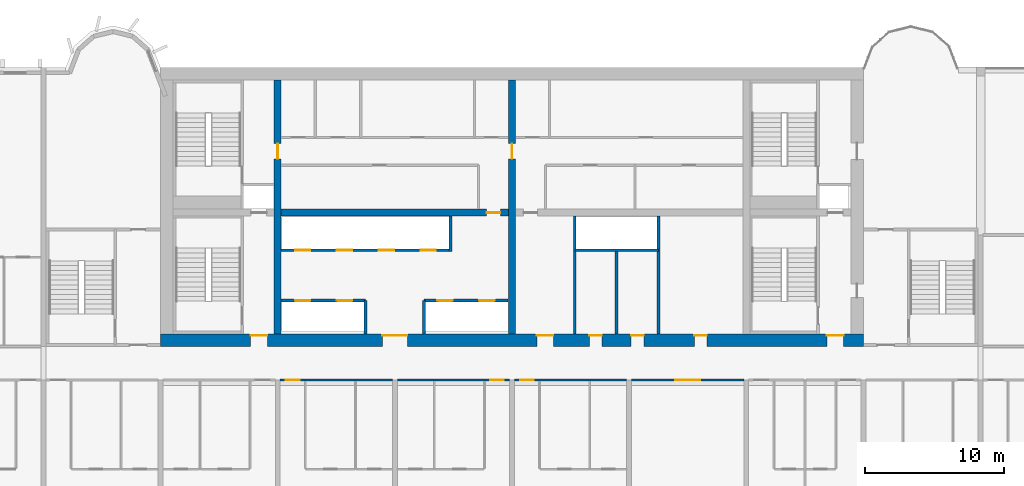
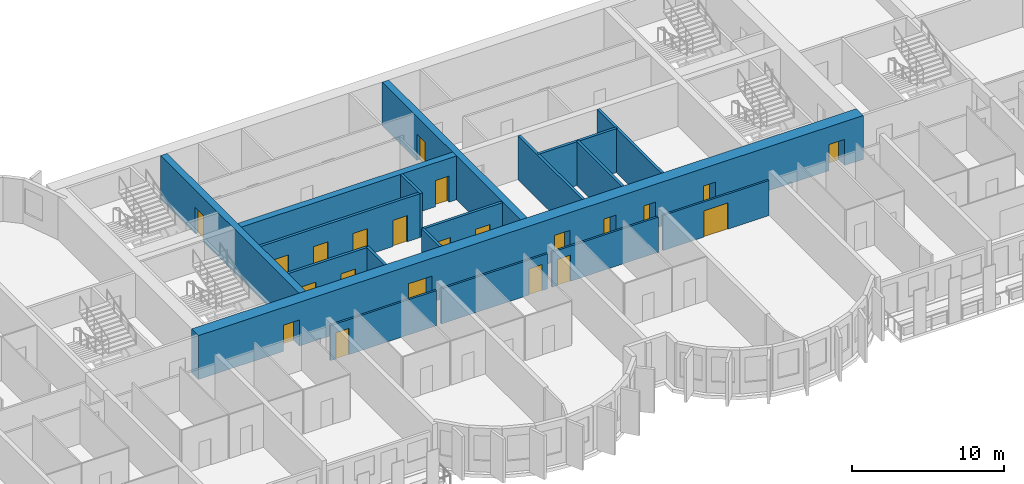
# One storey, part 6 of 14: 22 doors, 18 walls, 22 openings.
"""IFC4 building model written with IfcOpenShell, lengths in metres."""

from ifc_helpers import new_model, si_unit, direction, frame, frame_2d, origin, place, context, subcontext, project, spatial, rectangle, extrude, source, transform, mapped, material, layer, layer_set, type_object, element, fill, save


model = new_model("IFC4")

# Units and contexts
model_context = context("Model", 3, precision=1e-05, world=origin(), true_north=direction((0.0, 1.0)))
body_context = subcontext(model_context, "Body", "Model", "MODEL_VIEW")
ifc_project = project(units=[si_unit("LENGTHUNIT", "METRE"), si_unit("AREAUNIT", "SQUARE_METRE"), si_unit("VOLUMEUNIT", "CUBIC_METRE"), si_unit("PLANEANGLEUNIT", "RADIAN"), si_unit("MASSUNIT", "GRAM", prefix="KILO")], contexts=[model_context])

# Site, building, storey
site_placement = place(None, origin())
site = spatial("IfcSite", under=ifc_project, at=site_placement, CompositionType="ELEMENT")
building_placement = place(site_placement, origin())
building = spatial("IfcBuilding", under=site, at=building_placement, Name="Vanashikhar Sky Hotel", CompositionType="ELEMENT")
storey_placement = place(building_placement, frame((0.0, 0.0, 121.800048828125)))
storey = spatial("IfcBuildingStorey", under=building, at=storey_placement, Name="L29", CompositionType="ELEMENT", Elevation=121.800048828125)

# Wall, openings, doors
ifc_material_1 = material(Name="Concrete M70", Category="concrete")
ifc_layer_1 = layer(ifc_material_1, 0.89990234375)
ifc_layer_set_1 = layer_set([ifc_layer_1], Name="RC core shell wall 900 Concrete M70")
wall_type_1 = type_object("IfcWallType", Name="RC core shell wall 900 Concrete M70", PredefinedType="SHEAR", material=ifc_layer_set_1)
shared_shape_1 = source(origin(), body_context, "Body", "SweptSolid", [
    extrude(rectangle(XDim=50.400146484375, YDim=0.89990234375, at=frame_2d((25.2001953125, 0.0))), origin(), (0.0, 0.0, 1.0), 3.52001953125),
])
wall_1_placement = place(storey_placement, frame((25.199951171875, 22.449951171875, 0.0), z_axis=(0.0, 0.0, 1.0), x_axis=(1.0, 0.0, 0.0)))
wall_1 = element("IfcWall", 1, at=wall_1_placement, inside=storey, type_object=wall_type_1, Name="KW-L29-KS", PredefinedType="SHEAR", context=body_context, shape_type="MappedRepresentation", body=[
    mapped(shared_shape_1, transform((0.0, 0.0, 0.0), scale=1.0)),
])
shared_shape_2 = source(origin(), body_context, "Body", "SweptSolid", [
    extrude(rectangle(XDim=1.800048828125, YDim=2.10009765625, at=frame_2d((0.89990234375, 1.050048828125))), frame((0.0, 0.4599609375, 0.0), z_axis=(0.0, -1.0, 0.0), x_axis=(1.0, 0.0, 0.0)), (0.0, 0.0, 1.0), 0.919921875),
])
opening_1_placement = place(wall_1_placement, frame((15.89990234375, 0.0, 0.0)))
opening_1 = element("IfcOpeningElement", 2, at=opening_1_placement, cuts=wall_1, Name="Opening DC-3-A", PredefinedType="OPENING", context=body_context, shape_type="MappedRepresentation", body=[
    mapped(shared_shape_2, transform((0.0, 0.0, 0.0), scale=1.0)),
])
shared_shape_3 = source(origin(), body_context, "Body", "SweptSolid", [
    extrude(rectangle(XDim=1.199951171875, YDim=2.10009765625, at=frame_2d((0.60009765625, 1.050048828125))), frame((0.0, 0.4599609375, 0.0), z_axis=(0.0, -1.0, 0.0), x_axis=(1.0, 0.0, 0.0)), (0.0, 0.0, 1.0), 0.919921875),
])
opening_2_placement = place(wall_1_placement, frame((26.97509765625, 0.0, 0.0)))
opening_2 = element("IfcOpeningElement", 3, at=opening_2_placement, cuts=wall_1, Name="Opening DC-4-B", PredefinedType="OPENING", context=body_context, shape_type="MappedRepresentation", body=[
    mapped(shared_shape_3, transform((0.0, 0.0, 0.0), scale=1.0)),
])
shared_shape_4 = source(origin(), body_context, "Body", "SweptSolid", [
    extrude(rectangle(XDim=0.89990234375, YDim=2.10009765625, at=frame_2d((0.449951171875, 1.050048828125))), frame((0.0, 0.4599609375, 0.0), z_axis=(0.0, -1.0, 0.0), x_axis=(1.0, 0.0, 0.0)), (0.0, 0.0, 1.0), 0.919921875),
])
opening_3_placement = place(wall_1_placement, frame((33.75, 0.0, 0.0)))
opening_3 = element("IfcOpeningElement", 4, at=opening_3_placement, cuts=wall_1, Name="Opening DC-4-A", PredefinedType="OPENING", context=body_context, shape_type="MappedRepresentation", body=[
    mapped(shared_shape_4, transform((0.0, 0.0, 0.0), scale=1.0)),
])
opening_4_placement = place(wall_1_placement, frame((30.75, 0.0, 0.0)))
opening_4 = element("IfcOpeningElement", 5, at=opening_4_placement, cuts=wall_1, Name="Opening DC-4-A", PredefinedType="OPENING", context=body_context, shape_type="MappedRepresentation", body=[
    mapped(shared_shape_4, transform((0.0, 0.0, 0.0), scale=1.0)),
])
opening_5_placement = place(wall_1_placement, frame((38.27490234375, 0.0, 0.0)))
opening_5 = element("IfcOpeningElement", 6, at=opening_5_placement, cuts=wall_1, Name="Opening DC-4-A", PredefinedType="OPENING", context=body_context, shape_type="MappedRepresentation", body=[
    mapped(shared_shape_4, transform((0.0, 0.0, 0.0), scale=1.0)),
])
opening_6_placement = place(wall_1_placement, frame((6.449951171875, 0.0, 0.0)))
opening_6 = element("IfcOpeningElement", 7, at=opening_6_placement, cuts=wall_1, Name="Opening DC-2", PredefinedType="OPENING", context=body_context, shape_type="MappedRepresentation", body=[
    mapped(shared_shape_3, transform((0.0, 0.0, 0.0), scale=1.0)),
])
opening_7_placement = place(wall_1_placement, frame((47.77490234375, 0.0, 0.0)))
opening_7 = element("IfcOpeningElement", 8, at=opening_7_placement, cuts=wall_1, Name="Opening DC-2", PredefinedType="OPENING", context=body_context, shape_type="MappedRepresentation", body=[
    mapped(shared_shape_3, transform((0.0, 0.0, 0.0), scale=1.0)),
])
ifc_material_2 = material(Name="Glass", Category="glass")
door_type_1 = type_object("IfcDoorType", Name="Lift lobby entrance door 1800 FD30S", OperationType="NOTDEFINED", PredefinedType="DOOR", material=ifc_material_2)
shared_shape_5 = source(origin(), body_context, "Body", "SweptSolid", [
    extrude(rectangle(XDim=1.800048828125, YDim=2.10009765625, at=frame_2d((0.89990234375, 1.050048828125))), frame((0.0, 0.375, 0.0), z_axis=(0.0, -1.0, 0.0), x_axis=(1.0, 0.0, 0.0)), (0.0, 0.0, 1.0), 0.050048828125),
])
door_1_placement = place(opening_1_placement, origin())
door_1 = element("IfcDoor", 9, at=door_1_placement, inside=storey, type_object=door_type_1, Name="Lift lobby entrance door 1800 FD30S", OperationType="DOUBLE_DOOR_SINGLE_SWING", OverallHeight=2.10009765625, OverallWidth=1.800048828125, PredefinedType="DOOR", context=body_context, shape_type="MappedRepresentation", body=[
    mapped(shared_shape_5, transform((0.0, 0.0, 0.0), scale=1.0)),
])
fill(opening_1, door_1)
ifc_material_3 = material(Name="Steel", Category="steel")
door_type_2 = type_object("IfcDoorType", Name="Service door 1200 FD60", OperationType="NOTDEFINED", PredefinedType="DOOR", material=ifc_material_3)
shared_shape_6 = source(origin(), body_context, "Body", "SweptSolid", [
    extrude(rectangle(XDim=1.199951171875, YDim=2.10009765625, at=frame_2d((0.60009765625, 1.050048828125))), frame((0.0, 0.375, 0.0), z_axis=(0.0, -1.0, 0.0), x_axis=(1.0, 0.0, 0.0)), (0.0, 0.0, 1.0), 0.050048828125),
])
door_2_placement = place(opening_2_placement, origin())
door_2 = element("IfcDoor", 10, at=door_2_placement, inside=storey, type_object=door_type_2, Name="Service door 1200 FD60", OperationType="SINGLE_SWING_RIGHT", OverallHeight=2.10009765625, OverallWidth=1.199951171875, PredefinedType="DOOR", context=body_context, shape_type="MappedRepresentation", body=[
    mapped(shared_shape_6, transform((0.0, 0.0, 0.0), scale=1.0)),
])
fill(opening_2, door_2)
door_type_3 = type_object("IfcDoorType", Name="Firefighting lobby door 1200 FD120", OperationType="NOTDEFINED", PredefinedType="DOOR", material=ifc_material_3)
door_3_placement = place(opening_6_placement, origin())
door_3 = element("IfcDoor", 11, at=door_3_placement, inside=storey, type_object=door_type_3, Name="Firefighting lobby door 1200 FD120", OperationType="SINGLE_SWING_RIGHT", OverallHeight=2.10009765625, OverallWidth=1.199951171875, PredefinedType="DOOR", context=body_context, shape_type="MappedRepresentation", body=[
    mapped(shared_shape_6, transform((0.0, 0.0, 0.0), scale=1.0)),
])
fill(opening_6, door_3)
door_4_placement = place(opening_7_placement, origin())
door_4 = element("IfcDoor", 12, at=door_4_placement, inside=storey, type_object=door_type_3, Name="Firefighting lobby door 1200 FD120", OperationType="SINGLE_SWING_RIGHT", OverallHeight=2.10009765625, OverallWidth=1.199951171875, PredefinedType="DOOR", context=body_context, shape_type="MappedRepresentation", body=[
    mapped(shared_shape_6, transform((0.0, 0.0, 0.0), scale=1.0)),
])
fill(opening_7, door_4)
door_type_4 = type_object("IfcDoorType", Name="Service door 900 FD60", OperationType="NOTDEFINED", PredefinedType="DOOR", material=ifc_material_3)
shared_shape_7 = source(origin(), body_context, "Body", "SweptSolid", [
    extrude(rectangle(XDim=0.89990234375, YDim=2.10009765625, at=frame_2d((0.449951171875, 1.050048828125))), frame((0.0, 0.375, 0.0), z_axis=(0.0, -1.0, 0.0), x_axis=(1.0, 0.0, 0.0)), (0.0, 0.0, 1.0), 0.050048828125),
])
door_5_placement = place(opening_3_placement, origin())
door_5 = element("IfcDoor", 13, at=door_5_placement, inside=storey, type_object=door_type_4, Name="Service door 900 FD60", OperationType="SINGLE_SWING_RIGHT", OverallHeight=2.10009765625, OverallWidth=0.89990234375, PredefinedType="DOOR", context=body_context, shape_type="MappedRepresentation", body=[
    mapped(shared_shape_7, transform((0.0, 0.0, 0.0), scale=1.0)),
])
fill(opening_3, door_5)
door_6_placement = place(opening_4_placement, origin())
door_6 = element("IfcDoor", 14, at=door_6_placement, inside=storey, type_object=door_type_4, Name="Service door 900 FD60", OperationType="SINGLE_SWING_LEFT", OverallHeight=2.10009765625, OverallWidth=0.89990234375, PredefinedType="DOOR", context=body_context, shape_type="MappedRepresentation", body=[
    mapped(shared_shape_7, transform((0.0, 0.0, 0.0), scale=1.0)),
])
fill(opening_4, door_6)
door_7_placement = place(opening_5_placement, origin())
door_7 = element("IfcDoor", 15, at=door_7_placement, inside=storey, type_object=door_type_4, Name="Service door 900 FD60", OperationType="SINGLE_SWING_LEFT", OverallHeight=2.10009765625, OverallWidth=0.89990234375, PredefinedType="DOOR", context=body_context, shape_type="MappedRepresentation", body=[
    mapped(shared_shape_7, transform((0.0, 0.0, 0.0), scale=1.0)),
])
fill(opening_5, door_7)

# Wall, opening, door
ifc_layer_2 = layer(ifc_material_1, 0.5)
ifc_layer_set_2 = layer_set([ifc_layer_2], Name="RC core inner wall 500 Concrete M70")
wall_type_2 = type_object("IfcWallType", Name="RC core inner wall 500 Concrete M70", PredefinedType="SHEAR", material=ifc_layer_set_2)
shared_shape_8 = source(origin(), body_context, "Body", "SweptSolid", [
    extrude(rectangle(XDim=18.2001953125, YDim=0.5, at=frame_2d((9.10009765625, 0.0))), origin(), (0.0, 0.0, 1.0), 3.52001953125),
])
wall_2_placement = place(storey_placement, frame((33.60009765625, 22.89990234375, 0.0), z_axis=(0.0, 0.0, 1.0), x_axis=(0.0, 1.0, 0.0)))
wall_2 = element("IfcWall", 16, at=wall_2_placement, inside=storey, type_object=wall_type_2, Name="KW-L29-KX1", PredefinedType="SHEAR", context=body_context, shape_type="MappedRepresentation", body=[
    mapped(shared_shape_8, transform((0.0, 0.0, 0.0), scale=1.0)),
])
shared_shape_9 = source(origin(), body_context, "Body", "SweptSolid", [
    extrude(rectangle(XDim=1.10009765625, YDim=2.10009765625, at=frame_2d((0.550048828125, 1.050048828125))), frame((0.0, 0.260009765625, 0.0), z_axis=(0.0, -1.0, 0.0), x_axis=(1.0, 0.0, 0.0)), (0.0, 0.0, 1.0), 0.52001953125),
])
opening_8_placement = place(wall_2_placement, frame((12.550048828125, 0.0, 0.0)))
opening_8 = element("IfcOpeningElement", 17, at=opening_8_placement, cuts=wall_2, Name="Opening DC-4-C", PredefinedType="OPENING", context=body_context, shape_type="MappedRepresentation", body=[
    mapped(shared_shape_9, transform((0.0, 0.0, 0.0), scale=1.0)),
])
door_type_5 = type_object("IfcDoorType", Name="Service door 1100 FD60", OperationType="NOTDEFINED", PredefinedType="DOOR", material=ifc_material_3)
shared_shape_10 = source(origin(), body_context, "Body", "SweptSolid", [
    extrude(rectangle(XDim=1.10009765625, YDim=2.10009765625, at=frame_2d((0.550048828125, 1.050048828125))), frame((0.0, 0.02490234375, 0.0), z_axis=(0.0, -1.0, 0.0), x_axis=(1.0, 0.0, 0.0)), (0.0, 0.0, 1.0), 0.050048828125),
])
door_8_placement = place(opening_8_placement, origin())
door_8 = element("IfcDoor", 18, at=door_8_placement, inside=storey, type_object=door_type_5, Name="Service door 1100 FD60", OperationType="SINGLE_SWING_LEFT", OverallHeight=2.10009765625, OverallWidth=1.10009765625, PredefinedType="DOOR", context=body_context, shape_type="MappedRepresentation", body=[
    mapped(shared_shape_10, transform((0.0, 0.0, 0.0), scale=1.0)),
])
fill(opening_8, door_8)

wall_3_placement = place(storey_placement, frame((50.39990234375, 22.89990234375, 0.0), z_axis=(0.0, 0.0, 1.0), x_axis=(0.0, 1.0, 0.0)))
wall_3 = element("IfcWall", 19, at=wall_3_placement, inside=storey, type_object=wall_type_2, Name="KW-L29-KX2", PredefinedType="SHEAR", context=body_context, shape_type="MappedRepresentation", body=[
    mapped(shared_shape_8, transform((0.0, 0.0, 0.0), scale=1.0)),
])
opening_9_placement = place(wall_3_placement, frame((12.550048828125, 0.0, 0.0)))
opening_9 = element("IfcOpeningElement", 20, at=opening_9_placement, cuts=wall_3, Name="Opening DC-4-C", PredefinedType="OPENING", context=body_context, shape_type="MappedRepresentation", body=[
    mapped(shared_shape_9, transform((0.0, 0.0, 0.0), scale=1.0)),
])
door_9_placement = place(opening_9_placement, origin())
door_9 = element("IfcDoor", 21, at=door_9_placement, inside=storey, type_object=door_type_5, Name="Service door 1100 FD60", OperationType="SINGLE_SWING_RIGHT", OverallHeight=2.10009765625, OverallWidth=1.10009765625, PredefinedType="DOOR", context=body_context, shape_type="MappedRepresentation", body=[
    mapped(shared_shape_10, transform((0.0, 0.0, 0.0), scale=1.0)),
])
fill(opening_9, door_9)

shared_shape_11 = source(origin(), body_context, "Body", "SweptSolid", [
    extrude(rectangle(XDim=16.2998046875, YDim=0.5, at=frame_2d((8.14990234375, 0.0))), origin(), (0.0, 0.0, 1.0), 3.52001953125),
])
wall_4_placement = place(storey_placement, frame((33.85009765625, 31.60009765625, 0.0), z_axis=(0.0, 0.0, 1.0), x_axis=(1.0, 0.0, 0.0)))
wall_4 = element("IfcWall", 22, at=wall_4_placement, inside=storey, type_object=wall_type_2, Name="KW-L29-KY2", PredefinedType="SHEAR", context=body_context, shape_type="MappedRepresentation", body=[
    mapped(shared_shape_11, transform((0.0, 0.0, 0.0), scale=1.0)),
])
shared_shape_12 = source(origin(), body_context, "Body", "SweptSolid", [
    extrude(rectangle(XDim=1.0, YDim=2.10009765625, at=frame_2d((0.5, 1.050048828125))), frame((0.0, 0.260009765625, 0.0), z_axis=(0.0, -1.0, 0.0), x_axis=(1.0, 0.0, 0.0)), (0.0, 0.0, 1.0), 0.52001953125),
])
opening_10_placement = place(wall_4_placement, frame((14.72509765625, 0.0, 0.0)))
opening_10 = element("IfcOpeningElement", 23, at=opening_10_placement, cuts=wall_4, Name="Opening DC-4", PredefinedType="OPENING", context=body_context, shape_type="MappedRepresentation", body=[
    mapped(shared_shape_12, transform((0.0, 0.0, 0.0), scale=1.0)),
])
door_type_6 = type_object("IfcDoorType", Name="Service door 1000 FD60", OperationType="NOTDEFINED", PredefinedType="DOOR", material=ifc_material_3)
shared_shape_13 = source(origin(), body_context, "Body", "SweptSolid", [
    extrude(rectangle(XDim=1.0, YDim=2.10009765625, at=frame_2d((0.5, 1.050048828125))), frame((0.0, 0.02490234375, 0.0), z_axis=(0.0, -1.0, 0.0), x_axis=(1.0, 0.0, 0.0)), (0.0, 0.0, 1.0), 0.050048828125),
])
door_10_placement = place(opening_10_placement, origin())
door_10 = element("IfcDoor", 24, at=door_10_placement, inside=storey, type_object=door_type_6, Name="Service door 1000 FD60", OperationType="SINGLE_SWING_LEFT", OverallHeight=2.10009765625, OverallWidth=1.0, PredefinedType="DOOR", context=body_context, shape_type="MappedRepresentation", body=[
    mapped(shared_shape_13, transform((0.0, 0.0, 0.0), scale=1.0)),
])
fill(opening_10, door_10)

# Wall, openings, doors
ifc_material_4 = material(Name="Concrete M40", Category="concrete")
ifc_layer_3 = layer(ifc_material_4, 0.199951171875)
ifc_layer_set_3 = layer_set([ifc_layer_3], Name="Shaft wall 200")
wall_type_3 = type_object("IfcWallType", Name="Shaft wall 200", PredefinedType="SOLIDWALL", material=ifc_layer_set_3)
shared_shape_14 = source(origin(), body_context, "Body", "SweptSolid", [
    extrude(rectangle(XDim=6.0, YDim=0.199951171875, at=frame_2d((3.0, 0.0))), origin(), (0.0, 0.0, 1.0), 3.52001953125),
])
wall_5_placement = place(storey_placement, frame((44.10009765625, 25.300048828125, 0.0), z_axis=(0.0, 0.0, 1.0), x_axis=(1.0, 0.0, 0.0)))
wall_5 = element("IfcWall", 25, at=wall_5_placement, inside=storey, type_object=wall_type_3, Name="Shaft wall 200", PredefinedType="SOLIDWALL", context=body_context, shape_type="MappedRepresentation", body=[
    mapped(shared_shape_14, transform((0.0, 0.0, 0.0), scale=1.0)),
])
shared_shape_15 = source(origin(), body_context, "Body", "SweptSolid", [
    extrude(rectangle(XDim=1.10009765625, YDim=2.10009765625, at=frame_2d((0.550048828125, 1.050048828125))), frame((0.0, 0.10986328125, 0.0), z_axis=(0.0, -1.0, 0.0), x_axis=(1.0, 0.0, 0.0)), (0.0, 0.0, 1.0), 0.219970703125),
])
opening_11_placement = place(wall_5_placement, frame((0.949951171875, 0.0, 0.0)))
opening_11 = element("IfcOpeningElement", 26, at=opening_11_placement, cuts=wall_5, Name="Opening LD", PredefinedType="OPENING", context=body_context, shape_type="MappedRepresentation", body=[
    mapped(shared_shape_15, transform((0.0, 0.0, 0.0), scale=1.0)),
])
opening_12_placement = place(wall_5_placement, frame((3.949951171875, 0.0, 0.0)))
opening_12 = element("IfcOpeningElement", 27, at=opening_12_placement, cuts=wall_5, Name="Opening LD", PredefinedType="OPENING", context=body_context, shape_type="MappedRepresentation", body=[
    mapped(shared_shape_15, transform((0.0, 0.0, 0.0), scale=1.0)),
])
ifc_material_5 = material(Name="Stainless steel", Category="steel")
door_type_7 = type_object("IfcDoorType", Name="Lift landing door 1100", OperationType="NOTDEFINED", PredefinedType="DOOR", material=ifc_material_5)
door_11_placement = place(opening_11_placement, origin())
door_11 = element("IfcDoor", 28, at=door_11_placement, inside=storey, type_object=door_type_7, Name="Lift landing door 1100", OperationType="SLIDING_TO_LEFT", OverallHeight=2.10009765625, OverallWidth=1.10009765625, PredefinedType="DOOR", context=body_context, shape_type="MappedRepresentation", body=[
    mapped(shared_shape_10, transform((0.0, 0.0, 0.0), scale=1.0)),
])
fill(opening_11, door_11)
door_12_placement = place(opening_12_placement, origin())
door_12 = element("IfcDoor", 29, at=door_12_placement, inside=storey, type_object=door_type_7, Name="Lift landing door 1100", OperationType="SLIDING_TO_RIGHT", OverallHeight=2.10009765625, OverallWidth=1.10009765625, PredefinedType="DOOR", context=body_context, shape_type="MappedRepresentation", body=[
    mapped(shared_shape_10, transform((0.0, 0.0, 0.0), scale=1.0)),
])
fill(opening_12, door_12)

# Walls
wall_6_placement = place(storey_placement, frame((60.89990234375, 28.89990234375, 0.0), z_axis=(0.0, 0.0, 1.0), x_axis=(-1.0, 0.0, 0.0)))
element("IfcWall", 30, at=wall_6_placement, inside=storey, type_object=wall_type_3, Name="Shaft wall 200", PredefinedType="SOLIDWALL", context=body_context, shape_type="MappedRepresentation", body=[
    mapped(shared_shape_14, transform((0.0, 0.0, 0.0), scale=1.0)),
])
ifc_material_6 = material(Name="Gypsum board partition")
ifc_layer_4 = layer(ifc_material_6, 0.14990234375)
ifc_layer_set_4 = layer_set([ifc_layer_4], Name="Service partition 150")
wall_type_4 = type_object("IfcWallType", Name="Service partition 150", PredefinedType="PARTITIONING", material=ifc_layer_set_4)
wall_7_placement = place(storey_placement, frame((57.89990234375, 22.89990234375, 0.0), z_axis=(0.0, 0.0, 1.0), x_axis=(0.0, 1.0, 0.0)))
element("IfcWall", 31, at=wall_7_placement, inside=storey, type_object=wall_type_4, Name="Service partition 150", PredefinedType="PARTITIONING", context=body_context, shape_type="MappedRepresentation", body=[
    mapped(shared_shape_14, transform((0.0, 0.0, 0.0), scale=1.0)),
])

# Wall, openings, doors
shared_shape_16 = source(origin(), body_context, "Body", "SweptSolid", [
    extrude(rectangle(XDim=6.0498046875, YDim=0.199951171875, at=frame_2d((3.02490234375, 0.0))), origin(), (0.0, 0.0, 1.0), 3.52001953125),
])
wall_8_placement = place(storey_placement, frame((33.85009765625, 25.300048828125, 0.0), z_axis=(0.0, 0.0, 1.0), x_axis=(1.0, 0.0, 0.0)))
wall_8 = element("IfcWall", 32, at=wall_8_placement, inside=storey, type_object=wall_type_3, Name="Shaft wall 200", PredefinedType="SOLIDWALL", context=body_context, shape_type="MappedRepresentation", body=[
    mapped(shared_shape_16, transform((0.0, 0.0, 0.0), scale=1.0)),
])
opening_13_placement = place(wall_8_placement, frame((1.0, 0.0, 0.0)))
opening_13 = element("IfcOpeningElement", 33, at=opening_13_placement, cuts=wall_8, Name="Opening LD", PredefinedType="OPENING", context=body_context, shape_type="MappedRepresentation", body=[
    mapped(shared_shape_15, transform((0.0, 0.0, 0.0), scale=1.0)),
])
opening_14_placement = place(wall_8_placement, frame((4.0, 0.0, 0.0)))
opening_14 = element("IfcOpeningElement", 34, at=opening_14_placement, cuts=wall_8, Name="Opening LD", PredefinedType="OPENING", context=body_context, shape_type="MappedRepresentation", body=[
    mapped(shared_shape_15, transform((0.0, 0.0, 0.0), scale=1.0)),
])
door_13_placement = place(opening_13_placement, origin())
door_13 = element("IfcDoor", 35, at=door_13_placement, inside=storey, type_object=door_type_7, Name="Lift landing door 1100", OperationType="SLIDING_TO_LEFT", OverallHeight=2.10009765625, OverallWidth=1.10009765625, PredefinedType="DOOR", context=body_context, shape_type="MappedRepresentation", body=[
    mapped(shared_shape_10, transform((0.0, 0.0, 0.0), scale=1.0)),
])
fill(opening_13, door_13)
door_14_placement = place(opening_14_placement, origin())
door_14 = element("IfcDoor", 36, at=door_14_placement, inside=storey, type_object=door_type_7, Name="Lift landing door 1100", OperationType="SLIDING_TO_RIGHT", OverallHeight=2.10009765625, OverallWidth=1.10009765625, PredefinedType="DOOR", context=body_context, shape_type="MappedRepresentation", body=[
    mapped(shared_shape_10, transform((0.0, 0.0, 0.0), scale=1.0)),
])
fill(opening_14, door_14)

shared_shape_17 = source(origin(), body_context, "Body", "SweptSolid", [
    extrude(rectangle(XDim=12.0498046875, YDim=0.199951171875, at=frame_2d((6.02490234375, 0.0))), origin(), (0.0, 0.0, 1.0), 3.52001953125),
])
wall_9_placement = place(storey_placement, frame((33.85009765625, 28.89990234375, 0.0), z_axis=(0.0, 0.0, 1.0), x_axis=(1.0, 0.0, 0.0)))
wall_9 = element("IfcWall", 37, at=wall_9_placement, inside=storey, type_object=wall_type_3, Name="Shaft wall 200", PredefinedType="SOLIDWALL", context=body_context, shape_type="MappedRepresentation", body=[
    mapped(shared_shape_17, transform((0.0, 0.0, 0.0), scale=1.0)),
])
opening_15_placement = place(wall_9_placement, frame((1.0, 0.0, 0.0)))
opening_15 = element("IfcOpeningElement", 38, at=opening_15_placement, cuts=wall_9, Name="Opening LD", PredefinedType="OPENING", context=body_context, shape_type="MappedRepresentation", body=[
    mapped(shared_shape_15, transform((0.0, 0.0, 0.0), scale=1.0)),
])
opening_16_placement = place(wall_9_placement, frame((4.0, 0.0, 0.0)))
opening_16 = element("IfcOpeningElement", 39, at=opening_16_placement, cuts=wall_9, Name="Opening LD", PredefinedType="OPENING", context=body_context, shape_type="MappedRepresentation", body=[
    mapped(shared_shape_15, transform((0.0, 0.0, 0.0), scale=1.0)),
])
opening_17_placement = place(wall_9_placement, frame((7.0, 0.0, 0.0)))
opening_17 = element("IfcOpeningElement", 40, at=opening_17_placement, cuts=wall_9, Name="Opening LD", PredefinedType="OPENING", context=body_context, shape_type="MappedRepresentation", body=[
    mapped(shared_shape_15, transform((0.0, 0.0, 0.0), scale=1.0)),
])
opening_18_placement = place(wall_9_placement, frame((10.0, 0.0, 0.0)))
opening_18 = element("IfcOpeningElement", 41, at=opening_18_placement, cuts=wall_9, Name="Opening LD", PredefinedType="OPENING", context=body_context, shape_type="MappedRepresentation", body=[
    mapped(shared_shape_15, transform((0.0, 0.0, 0.0), scale=1.0)),
])
door_15_placement = place(opening_15_placement, origin())
door_15 = element("IfcDoor", 42, at=door_15_placement, inside=storey, type_object=door_type_7, Name="Lift landing door 1100", OperationType="SLIDING_TO_LEFT", OverallHeight=2.10009765625, OverallWidth=1.10009765625, PredefinedType="DOOR", context=body_context, shape_type="MappedRepresentation", body=[
    mapped(shared_shape_10, transform((0.0, 0.0, 0.0), scale=1.0)),
])
fill(opening_15, door_15)
door_16_placement = place(opening_16_placement, origin())
door_16 = element("IfcDoor", 43, at=door_16_placement, inside=storey, type_object=door_type_7, Name="Lift landing door 1100", OperationType="SLIDING_TO_RIGHT", OverallHeight=2.10009765625, OverallWidth=1.10009765625, PredefinedType="DOOR", context=body_context, shape_type="MappedRepresentation", body=[
    mapped(shared_shape_10, transform((0.0, 0.0, 0.0), scale=1.0)),
])
fill(opening_16, door_16)
door_17_placement = place(opening_17_placement, origin())
door_17 = element("IfcDoor", 44, at=door_17_placement, inside=storey, type_object=door_type_7, Name="Lift landing door 1100", OperationType="SLIDING_TO_LEFT", OverallHeight=2.10009765625, OverallWidth=1.10009765625, PredefinedType="DOOR", context=body_context, shape_type="MappedRepresentation", body=[
    mapped(shared_shape_10, transform((0.0, 0.0, 0.0), scale=1.0)),
])
fill(opening_17, door_17)
door_18_placement = place(opening_18_placement, origin())
door_18 = element("IfcDoor", 45, at=door_18_placement, inside=storey, type_object=door_type_7, Name="Lift landing door 1100", OperationType="SLIDING_TO_RIGHT", OverallHeight=2.10009765625, OverallWidth=1.10009765625, PredefinedType="DOOR", context=body_context, shape_type="MappedRepresentation", body=[
    mapped(shared_shape_10, transform((0.0, 0.0, 0.0), scale=1.0)),
])
fill(opening_18, door_18)

# Walls
shared_shape_18 = source(origin(), body_context, "Body", "SweptSolid", [
    extrude(rectangle(XDim=2.400146484375, YDim=0.199951171875, at=frame_2d((1.2001953125, 0.0))), origin(), (0.0, 0.0, 1.0), 3.52001953125),
])
for number, where, z_axis, x_axis, name in (
    (46, (39.89990234375, 22.89990234375, 0.0), (0.0, 0.0, 1.0), (0.0, 1.0, 0.0), "Shaft wall 200"),
    (47, (44.10009765625, 22.89990234375, 0.0), (0.0, 0.0, 1.0), (0.0, 1.0, 0.0), "Shaft wall 200"),
):
    element("IfcWall", number, at=place(storey_placement, frame(where, z_axis=z_axis, x_axis=x_axis)), inside=storey, type_object=wall_type_3, Name=name, PredefinedType="SOLIDWALL", context=body_context, shape_type="MappedRepresentation", body=[
        mapped(shared_shape_18, transform((0.0, 0.0, 0.0), scale=1.0)),
    ])
shared_shape_19 = source(origin(), body_context, "Body", "SweptSolid", [
    extrude(rectangle(XDim=2.550048828125, YDim=0.199951171875, at=frame_2d((1.27490234375, 0.0))), origin(), (0.0, 0.0, 1.0), 3.52001953125),
])
wall_10_placement = place(storey_placement, frame((46.0, 28.800048828125, 0.0), z_axis=(0.0, 0.0, 1.0), x_axis=(0.0, 1.0, 0.0)))
element("IfcWall", 48, at=wall_10_placement, inside=storey, type_object=wall_type_3, Name="Shaft wall 200", PredefinedType="SOLIDWALL", context=body_context, shape_type="MappedRepresentation", body=[
    mapped(shared_shape_19, transform((0.0, 0.0, 0.0), scale=1.0)),
])
shared_shape_20 = source(origin(), body_context, "Body", "SweptSolid", [
    extrude(rectangle(XDim=8.4501953125, YDim=0.199951171875, at=frame_2d((4.22509765625, 0.0))), origin(), (0.0, 0.0, 1.0), 3.52001953125),
])
for number, where, z_axis, x_axis, name in (
    (49, (54.89990234375, 22.89990234375, 0.0), (0.0, 0.0, 1.0), (0.0, 1.0, 0.0), "Service partition 150"),
    (50, (60.89990234375, 22.89990234375, 0.0), (0.0, 0.0, 1.0), (0.0, 1.0, 0.0), "Service partition 150"),
):
    element("IfcWall", number, at=place(storey_placement, frame(where, z_axis=z_axis, x_axis=x_axis)), inside=storey, type_object=wall_type_4, Name=name, PredefinedType="PARTITIONING", context=body_context, shape_type="MappedRepresentation", body=[
        mapped(shared_shape_20, transform((0.0, 0.0, 0.0), scale=1.0)),
    ])

# Wall, opening, door
ifc_material_7 = material(Name="Gypsum plasterboard partition")
ifc_layer_5 = layer(ifc_material_7, 0.14990234375)
ifc_layer_set_5 = layer_set([ifc_layer_5], Name="Corridor and demising partition 150")
wall_type_5 = type_object("IfcWallType", Name="Corridor and demising partition 150", PredefinedType="PARTITIONING", material=ifc_layer_set_5)
shared_shape_21 = source(origin(), body_context, "Body", "SweptSolid", [
    extrude(rectangle(XDim=8.050048828125, YDim=0.14990234375, at=frame_2d((4.02490234375, 0.0))), origin(), (0.0, 0.0, 1.0), 2.820068359375),
])
wall_11_placement = place(storey_placement, frame((33.77490234375, 19.60009765625, 0.0), z_axis=(0.0, 0.0, 1.0), x_axis=(1.0, 0.0, 0.0)))
wall_11 = element("IfcWall", 51, at=wall_11_placement, inside=storey, type_object=wall_type_5, Name="W-L29-PW022", PredefinedType="PARTITIONING", context=body_context, shape_type="MappedRepresentation", body=[
    mapped(shared_shape_21, transform((0.0, 0.0, 0.0), scale=1.0)),
])
shared_shape_22 = source(origin(), body_context, "Body", "SweptSolid", [
    extrude(rectangle(XDim=1.0, YDim=2.10009765625, at=frame_2d((0.5, 1.050048828125))), frame((0.0, 0.0849609375, 0.0), z_axis=(0.0, -1.0, 0.0), x_axis=(1.0, 0.0, 0.0)), (0.0, 0.0, 1.0), 0.169921875),
])
opening_19_placement = place(wall_11_placement, frame((0.39990234375, 0.0, 0.0)))
opening_19 = element("IfcOpeningElement", 52, at=opening_19_placement, cuts=wall_11, Name="Opening D-01", PredefinedType="OPENING", context=body_context, shape_type="MappedRepresentation", body=[
    mapped(shared_shape_22, transform((0.0, 0.0, 0.0), scale=1.0)),
])
ifc_material_8 = material(Name="Timber fire door", Category="wood")
door_type_8 = type_object("IfcDoorType", Name="Guest entry door 1000 FD30S", OperationType="NOTDEFINED", PredefinedType="DOOR", material=ifc_material_8)
door_19_placement = place(opening_19_placement, origin())
door_19 = element("IfcDoor", 53, at=door_19_placement, inside=storey, type_object=door_type_8, Name="D-L29-014", OperationType="SINGLE_SWING_LEFT", OverallHeight=2.10009765625, OverallWidth=1.0, PredefinedType="DOOR", context=body_context, shape_type="MappedRepresentation", body=[
    mapped(shared_shape_13, transform((0.0, 0.0, 0.0), scale=1.0)),
])
fill(opening_19, door_19)

wall_12_placement = place(storey_placement, frame((42.175048828125, 19.60009765625, 0.0), z_axis=(0.0, 0.0, 1.0), x_axis=(1.0, 0.0, 0.0)))
wall_12 = element("IfcWall", 54, at=wall_12_placement, inside=storey, type_object=wall_type_5, Name="W-L29-PW027", PredefinedType="PARTITIONING", context=body_context, shape_type="MappedRepresentation", body=[
    mapped(shared_shape_21, transform((0.0, 0.0, 0.0), scale=1.0)),
])
opening_20_placement = place(wall_12_placement, frame((6.64990234375, 0.0, 0.0)))
opening_20 = element("IfcOpeningElement", 55, at=opening_20_placement, cuts=wall_12, Name="Opening D-01", PredefinedType="OPENING", context=body_context, shape_type="MappedRepresentation", body=[
    mapped(shared_shape_22, transform((0.0, 0.0, 0.0), scale=1.0)),
])
door_20_placement = place(opening_20_placement, origin())
door_20 = element("IfcDoor", 56, at=door_20_placement, inside=storey, type_object=door_type_8, Name="D-L29-017", OperationType="SINGLE_SWING_RIGHT", OverallHeight=2.10009765625, OverallWidth=1.0, PredefinedType="DOOR", context=body_context, shape_type="MappedRepresentation", body=[
    mapped(shared_shape_13, transform((0.0, 0.0, 0.0), scale=1.0)),
])
fill(opening_20, door_20)

wall_13_placement = place(storey_placement, frame((50.574951171875, 19.60009765625, 0.0), z_axis=(0.0, 0.0, 1.0), x_axis=(1.0, 0.0, 0.0)))
wall_13 = element("IfcWall", 57, at=wall_13_placement, inside=storey, type_object=wall_type_5, Name="W-L29-PW032", PredefinedType="PARTITIONING", context=body_context, shape_type="MappedRepresentation", body=[
    mapped(shared_shape_21, transform((0.0, 0.0, 0.0), scale=1.0)),
])
opening_21_placement = place(wall_13_placement, frame((0.39990234375, 0.0, 0.0)))
opening_21 = element("IfcOpeningElement", 58, at=opening_21_placement, cuts=wall_13, Name="Opening D-01", PredefinedType="OPENING", context=body_context, shape_type="MappedRepresentation", body=[
    mapped(shared_shape_22, transform((0.0, 0.0, 0.0), scale=1.0)),
])
door_21_placement = place(opening_21_placement, origin())
door_21 = element("IfcDoor", 59, at=door_21_placement, inside=storey, type_object=door_type_8, Name="D-L29-020", OperationType="SINGLE_SWING_LEFT", OverallHeight=2.10009765625, OverallWidth=1.0, PredefinedType="DOOR", context=body_context, shape_type="MappedRepresentation", body=[
    mapped(shared_shape_13, transform((0.0, 0.0, 0.0), scale=1.0)),
])
fill(opening_21, door_21)

shared_shape_23 = source(origin(), body_context, "Body", "SweptSolid", [
    extrude(rectangle(XDim=8.0498046875, YDim=0.14990234375, at=frame_2d((4.02490234375, 0.0))), origin(), (0.0, 0.0, 1.0), 2.820068359375),
])
wall_14_placement = place(storey_placement, frame((58.97509765625, 19.60009765625, 0.0), z_axis=(0.0, 0.0, 1.0), x_axis=(1.0, 0.0, 0.0)))
wall_14 = element("IfcWall", 60, at=wall_14_placement, inside=storey, type_object=wall_type_5, Name="W-L29-PW033", PredefinedType="PARTITIONING", context=body_context, shape_type="MappedRepresentation", body=[
    mapped(shared_shape_23, transform((0.0, 0.0, 0.0), scale=1.0)),
])
shared_shape_24 = source(origin(), body_context, "Body", "SweptSolid", [
    extrude(rectangle(XDim=1.800048828125, YDim=2.10009765625, at=frame_2d((0.89990234375, 1.050048828125))), frame((0.0, 0.0849609375, 0.0), z_axis=(0.0, -1.0, 0.0), x_axis=(1.0, 0.0, 0.0)), (0.0, 0.0, 1.0), 0.169921875),
])
opening_22_placement = place(wall_14_placement, frame((3.125, 0.0, 0.0)))
opening_22 = element("IfcOpeningElement", 61, at=opening_22_placement, cuts=wall_14, Name="Opening D-03", PredefinedType="OPENING", context=body_context, shape_type="MappedRepresentation", body=[
    mapped(shared_shape_24, transform((0.0, 0.0, 0.0), scale=1.0)),
])
door_type_9 = type_object("IfcDoorType", Name="Double leaf door 1800 FD30S", OperationType="NOTDEFINED", PredefinedType="DOOR", material=ifc_material_8)
shared_shape_25 = source(origin(), body_context, "Body", "SweptSolid", [
    extrude(rectangle(XDim=1.800048828125, YDim=2.10009765625, at=frame_2d((0.89990234375, 1.050048828125))), frame((0.0, 0.02490234375, 0.0), z_axis=(0.0, -1.0, 0.0), x_axis=(1.0, 0.0, 0.0)), (0.0, 0.0, 1.0), 0.050048828125),
])
door_22_placement = place(opening_22_placement, origin())
door_22 = element("IfcDoor", 62, at=door_22_placement, inside=storey, type_object=door_type_9, Name="D-L29-021", OperationType="DOUBLE_DOOR_SINGLE_SWING", OverallHeight=2.10009765625, OverallWidth=1.800048828125, PredefinedType="DOOR", context=body_context, shape_type="MappedRepresentation", body=[
    mapped(shared_shape_25, transform((0.0, 0.0, 0.0), scale=1.0)),
])
fill(opening_22, door_22)

save(model, "model.ifc")
